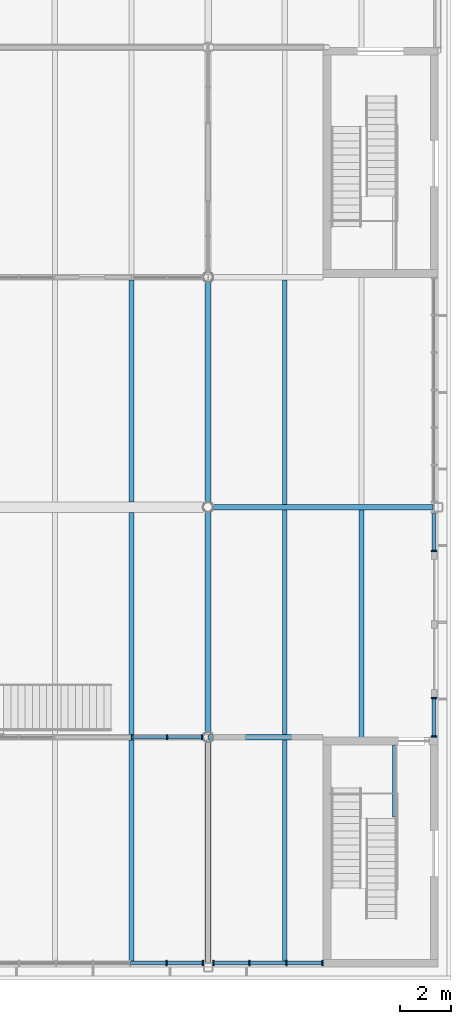
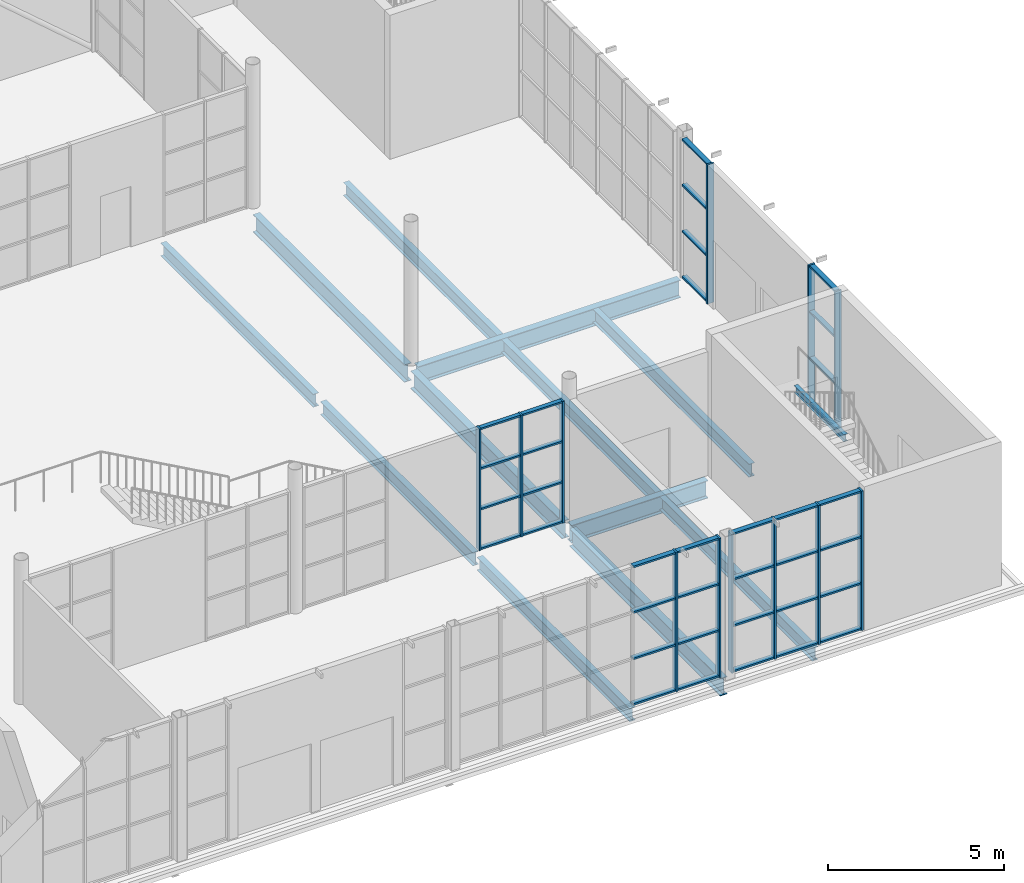
# One storey, part 24 of 63: 48 members, 13 beams, 5 elements without a shape of their own.
"""IFC4 building model written with IfcOpenShell, lengths in metres."""

from ifc_helpers import new_model, si_unit, direction, frame, origin, origin_2d, place, context, subcontext, project, spatial, rectangle, i_section, extrude, material, layer, layer_set, material_profile, profile_set, type_object, element, aggregate, save


model = new_model("IFC4")

# Units and contexts
model_context = context("Model", 3, precision=1e-05, world=origin(), true_north=direction((0.0, 1.0)))
body_context = subcontext(model_context, "Body", "Model", "MODEL_VIEW")
ifc_project = project(units=[si_unit("LENGTHUNIT", "METRE"), si_unit("AREAUNIT", "SQUARE_METRE"), si_unit("VOLUMEUNIT", "CUBIC_METRE"), si_unit("PLANEANGLEUNIT", "RADIAN"), si_unit("MASSUNIT", "GRAM", prefix="KILO")], contexts=[model_context])

# Site, building, storey
site_placement = place(None, origin())
site = spatial("IfcSite", under=ifc_project, at=site_placement, CompositionType="ELEMENT")
building_placement = place(site_placement, origin())
building = spatial("IfcBuilding", under=site, at=building_placement, Name="Halyard Row Museum", CompositionType="ELEMENT")
storey_placement = place(building_placement, origin())
storey = spatial("IfcBuildingStorey", under=building, at=storey_placement, Name="L00", CompositionType="ELEMENT", Elevation=0.0)

# Curtain wall, members
ifc_material_1 = material(Name="Double glazed unit, low-emissivity", Category="glass")
ifc_layer_1 = layer(ifc_material_1, 0.179931640625)
ifc_layer_set_1 = layer_set([ifc_layer_1], Name="Double glazed unit, low-emissivity")
curtain_wall_type_1 = type_object("IfcCurtainWallType", Name="Curtain wall stick 180 deep", PredefinedType="NOTDEFINED", material=ifc_layer_set_1)
curtain_wall_1_placement = place(storey_placement, origin())
curtain_wall_1 = element("IfcCurtainWall", 1, at=curtain_wall_1_placement, inside=storey, type_object=curtain_wall_type_1, Name="Curtain wall CW137", PredefinedType="NOTDEFINED")
ifc_material_2 = material(Name="Powder-coated aluminium section", Category="aluminium")
ifc_material_profile_1 = material_profile(ifc_material_2, rectangle(XDim=0.179931640625, YDim=0.06005859375, at=origin_2d()), Name="180x60 mullion")
ifc_profile_set_1 = profile_set([ifc_material_profile_1], Name="Powder-coated aluminium section")
member_type_1 = type_object("IfcMemberType", Name="Curtain wall mullion CM2 60 x 180", PredefinedType="MULLION", material=ifc_profile_set_1)
member_1_placement = place(storey_placement, frame((96.030029296875, 9.0, 0.0), z_axis=(0.0, 0.0, 1.0), x_axis=(0.0, 1.0, 0.0)))
member_1 = element("IfcMember", 2, at=member_1_placement, type_object=member_type_1, Name="CW137 mullion 1", PredefinedType="MULLION", context=body_context, shape_type="SweptSolid", body=[
    extrude(rectangle(XDim=0.179931640625, YDim=0.06005859375, at=origin_2d()), origin(), (0.0, 0.0, 1.0), 4.22802734375),
])
member_2_placement = place(storey_placement, frame((97.3984375, 9.0, 0.0), z_axis=(0.0, 0.0, 1.0), x_axis=(0.0, 1.0, 0.0)))
member_2 = element("IfcMember", 3, at=member_2_placement, type_object=member_type_1, Name="CW137 mullion 2", PredefinedType="MULLION", context=body_context, shape_type="SweptSolid", body=[
    extrude(rectangle(XDim=0.179931640625, YDim=0.06005859375, at=origin_2d()), origin(), (0.0, 0.0, 1.0), 4.22802734375),
])
member_3_placement = place(storey_placement, frame((98.766845703125, 9.0, 0.0), z_axis=(0.0, 0.0, 1.0), x_axis=(0.0, 1.0, 0.0)))
member_3 = element("IfcMember", 4, at=member_3_placement, type_object=member_type_1, Name="CW137 mullion 3", PredefinedType="MULLION", context=body_context, shape_type="SweptSolid", body=[
    extrude(rectangle(XDim=0.179931640625, YDim=0.06005859375, at=origin_2d()), origin(), (0.0, 0.0, 1.0), 4.22802734375),
])

ifc_material_3 = material(Name="Double glazed unit, low-emissivity", Category="glass")
ifc_layer_2 = layer(ifc_material_3, 0.219970703125)
ifc_layer_set_2 = layer_set([ifc_layer_2], Name="Double glazed unit, low-emissivity")
curtain_wall_type_2 = type_object("IfcCurtainWallType", Name="Curtain wall unitised 220 deep", PredefinedType="NOTDEFINED", material=ifc_layer_set_2)
curtain_wall_2_placement = place(storey_placement, origin())
curtain_wall_2 = element("IfcCurtainWall", 5, at=curtain_wall_2_placement, inside=storey, type_object=curtain_wall_type_2, Name="Curtain wall CW004", PredefinedType="NOTDEFINED")
ifc_material_4 = material(Name="Powder-coated aluminium section", Category="aluminium")
ifc_material_profile_2 = material_profile(ifc_material_4, rectangle(XDim=0.219970703125, YDim=0.06005859375, at=origin_2d()), Name="220x60 mullion")
ifc_profile_set_2 = profile_set([ifc_material_profile_2], Name="Powder-coated aluminium section")
member_type_2 = type_object("IfcMemberType", Name="Curtain wall mullion CM3 60 x 220", PredefinedType="MULLION", material=ifc_profile_set_2)
member_4_placement = place(storey_placement, frame((97.379150390625, 0.159912109375, 0.0), z_axis=(0.0, 0.0, 1.0), x_axis=(0.0, 1.0, 0.0)))
member_4 = element("IfcMember", 6, at=member_4_placement, type_object=member_type_2, Name="CW004 mullion 6", PredefinedType="MULLION", context=body_context, shape_type="SweptSolid", body=[
    extrude(rectangle(XDim=0.219970703125, YDim=0.06005859375, at=origin_2d()), origin(), (0.0, 0.0, 1.0), 4.8349609375),
])
member_5_placement = place(storey_placement, frame((98.794921875, 0.159912109375, 0.0), z_axis=(0.0, 0.0, 1.0), x_axis=(0.0, 1.0, 0.0)))
member_5 = element("IfcMember", 7, at=member_5_placement, type_object=member_type_2, Name="CW004 mullion 7", PredefinedType="MULLION", context=body_context, shape_type="SweptSolid", body=[
    extrude(rectangle(XDim=0.219970703125, YDim=0.06005859375, at=origin_2d()), origin(), (0.0, 0.0, 1.0), 4.8349609375),
])

curtain_wall_3_placement = place(storey_placement, origin())
curtain_wall_3 = element("IfcCurtainWall", 8, at=curtain_wall_3_placement, inside=storey, type_object=curtain_wall_type_2, Name="Curtain wall CW005", PredefinedType="NOTDEFINED")
member_6_placement = place(storey_placement, frame((99.205078125, 0.159912109375, 0.0), z_axis=(0.0, 0.0, 1.0), x_axis=(0.0, 1.0, 0.0)))
member_6 = element("IfcMember", 9, at=member_6_placement, type_object=member_type_2, Name="CW005 mullion 1", PredefinedType="MULLION", context=body_context, shape_type="SweptSolid", body=[
    extrude(rectangle(XDim=0.219970703125, YDim=0.06005859375, at=origin_2d()), origin(), (0.0, 0.0, 1.0), 4.8349609375),
])
member_7_placement = place(storey_placement, frame((100.61669921875, 0.159912109375, 0.0), z_axis=(0.0, 0.0, 1.0), x_axis=(0.0, 1.0, 0.0)))
member_7 = element("IfcMember", 10, at=member_7_placement, type_object=member_type_2, Name="CW005 mullion 2", PredefinedType="MULLION", context=body_context, shape_type="SweptSolid", body=[
    extrude(rectangle(XDim=0.219970703125, YDim=0.06005859375, at=origin_2d()), origin(), (0.0, 0.0, 1.0), 4.8349609375),
])
member_8_placement = place(storey_placement, frame((102.058349609375, 0.159912109375, 0.0), z_axis=(0.0, 0.0, 1.0), x_axis=(0.0, 1.0, 0.0)))
member_8 = element("IfcMember", 11, at=member_8_placement, type_object=member_type_2, Name="CW005 mullion 3", PredefinedType="MULLION", context=body_context, shape_type="SweptSolid", body=[
    extrude(rectangle(XDim=0.219970703125, YDim=0.06005859375, at=origin_2d()), origin(), (0.0, 0.0, 1.0), 4.8349609375),
])
member_9_placement = place(storey_placement, frame((103.469970703125, 0.159912109375, 0.0), z_axis=(0.0, 0.0, 1.0), x_axis=(0.0, 1.0, 0.0)))
member_9 = element("IfcMember", 12, at=member_9_placement, type_object=member_type_2, Name="CW005 mullion 4", PredefinedType="MULLION", context=body_context, shape_type="SweptSolid", body=[
    extrude(rectangle(XDim=0.219970703125, YDim=0.06005859375, at=origin_2d()), origin(), (0.0, 0.0, 1.0), 4.8349609375),
])

curtain_wall_4_placement = place(storey_placement, origin())
curtain_wall_4 = element("IfcCurtainWall", 13, at=curtain_wall_4_placement, inside=storey, type_object=curtain_wall_type_2, Name="Curtain wall CW006", PredefinedType="NOTDEFINED")
member_10_placement = place(storey_placement, frame((107.840087890625, 9.030029296875, 0.0), z_axis=(0.0, 0.0, 1.0), x_axis=(-1.0, 0.0, 0.0)))
member_10 = element("IfcMember", 14, at=member_10_placement, type_object=member_type_2, Name="CW006 mullion 1", PredefinedType="MULLION", context=body_context, shape_type="SweptSolid", body=[
    extrude(rectangle(XDim=0.219970703125, YDim=0.06005859375, at=origin_2d()), origin(), (0.0, 0.0, 1.0), 4.8349609375),
])
member_11_placement = place(storey_placement, frame((107.840087890625, 10.532470703125, 0.0), z_axis=(0.0, 0.0, 1.0), x_axis=(-1.0, 0.0, 0.0)))
member_11 = element("IfcMember", 15, at=member_11_placement, type_object=member_type_2, Name="CW006 mullion 2", PredefinedType="MULLION", context=body_context, shape_type="SweptSolid", body=[
    extrude(rectangle(XDim=0.219970703125, YDim=0.06005859375, at=origin_2d()), origin(), (0.0, 0.0, 1.0), 4.8349609375),
])

# Curtain wall, member
curtain_wall_5_placement = place(storey_placement, origin())
curtain_wall_5 = element("IfcCurtainWall", 16, at=curtain_wall_5_placement, inside=storey, type_object=curtain_wall_type_2, Name="Curtain wall CW007", PredefinedType="NOTDEFINED")
member_12_placement = place(storey_placement, frame((107.840087890625, 16.29248046875, 0.0), z_axis=(0.0, 0.0, 1.0), x_axis=(-1.0, 0.0, 0.0)))
member_12 = element("IfcMember", 17, at=member_12_placement, type_object=member_type_2, Name="CW007 mullion 1", PredefinedType="MULLION", context=body_context, shape_type="SweptSolid", body=[
    extrude(rectangle(XDim=0.219970703125, YDim=0.06005859375, at=origin_2d()), origin(), (0.0, 0.0, 1.0), 4.8349609375),
])

# Member
ifc_material_5 = material(Name="Powder-coated aluminium section", Category="aluminium")
ifc_material_profile_3 = material_profile(ifc_material_5, rectangle(XDim=0.139892578125, YDim=0.06005859375, at=origin_2d()), Name="140x60 transom")
ifc_profile_set_3 = profile_set([ifc_material_profile_3], Name="Powder-coated aluminium section")
member_type_3 = type_object("IfcMemberType", Name="Curtain wall transom CT2 60 x 140", PredefinedType="USERDEFINED", material=ifc_profile_set_3)
member_13_placement = place(storey_placement, frame((96.06005859375, 9.0, 0.030029296875), z_axis=(1.0, 0.0, 0.0), x_axis=(0.0, 1.0, 0.0)))
member_13 = element("IfcMember", 18, at=member_13_placement, type_object=member_type_3, Name="CW137 transom 1.1", ObjectType="TRANSOM", PredefinedType="USERDEFINED", context=body_context, shape_type="SweptSolid", body=[
    extrude(rectangle(XDim=0.139892578125, YDim=0.06005859375, at=origin_2d()), origin(), (0.0, 0.0, 1.0), 1.308349609375),
])

member_14_placement = place(storey_placement, frame((96.06005859375, 9.0, 1.409423828125), z_axis=(1.0, 0.0, 0.0), x_axis=(0.0, 1.0, 0.0)))
member_14 = element("IfcMember", 19, at=member_14_placement, type_object=member_type_3, Name="CW137 transom 1.2", ObjectType="TRANSOM", PredefinedType="USERDEFINED", context=body_context, shape_type="SweptSolid", body=[
    extrude(rectangle(XDim=0.139892578125, YDim=0.06005859375, at=origin_2d()), origin(), (0.0, 0.0, 1.0), 1.308349609375),
])

member_15_placement = place(storey_placement, frame((96.06005859375, 9.0, 2.818603515625), z_axis=(1.0, 0.0, 0.0), x_axis=(0.0, 1.0, 0.0)))
member_15 = element("IfcMember", 20, at=member_15_placement, type_object=member_type_3, Name="CW137 transom 1.3", ObjectType="TRANSOM", PredefinedType="USERDEFINED", context=body_context, shape_type="SweptSolid", body=[
    extrude(rectangle(XDim=0.139892578125, YDim=0.06005859375, at=origin_2d()), origin(), (0.0, 0.0, 1.0), 1.308349609375),
])

member_16_placement = place(storey_placement, frame((96.06005859375, 9.0, 4.197998046875), z_axis=(1.0, 0.0, 0.0), x_axis=(0.0, 1.0, 0.0)))
member_16 = element("IfcMember", 21, at=member_16_placement, type_object=member_type_3, Name="CW137 transom 1.4", ObjectType="TRANSOM", PredefinedType="USERDEFINED", context=body_context, shape_type="SweptSolid", body=[
    extrude(rectangle(XDim=0.139892578125, YDim=0.06005859375, at=origin_2d()), origin(), (0.0, 0.0, 1.0), 1.308349609375),
])

member_17_placement = place(storey_placement, frame((97.428466796875, 9.0, 0.030029296875), z_axis=(1.0, 0.0, 0.0), x_axis=(0.0, 1.0, 0.0)))
member_17 = element("IfcMember", 22, at=member_17_placement, type_object=member_type_3, Name="CW137 transom 2.1", ObjectType="TRANSOM", PredefinedType="USERDEFINED", context=body_context, shape_type="SweptSolid", body=[
    extrude(rectangle(XDim=0.139892578125, YDim=0.06005859375, at=origin_2d()), origin(), (0.0, 0.0, 1.0), 1.308349609375),
])

member_18_placement = place(storey_placement, frame((97.428466796875, 9.0, 1.409423828125), z_axis=(1.0, 0.0, 0.0), x_axis=(0.0, 1.0, 0.0)))
member_18 = element("IfcMember", 23, at=member_18_placement, type_object=member_type_3, Name="CW137 transom 2.2", ObjectType="TRANSOM", PredefinedType="USERDEFINED", context=body_context, shape_type="SweptSolid", body=[
    extrude(rectangle(XDim=0.139892578125, YDim=0.06005859375, at=origin_2d()), origin(), (0.0, 0.0, 1.0), 1.308349609375),
])

member_19_placement = place(storey_placement, frame((97.428466796875, 9.0, 2.818603515625), z_axis=(1.0, 0.0, 0.0), x_axis=(0.0, 1.0, 0.0)))
member_19 = element("IfcMember", 24, at=member_19_placement, type_object=member_type_3, Name="CW137 transom 2.3", ObjectType="TRANSOM", PredefinedType="USERDEFINED", context=body_context, shape_type="SweptSolid", body=[
    extrude(rectangle(XDim=0.139892578125, YDim=0.06005859375, at=origin_2d()), origin(), (0.0, 0.0, 1.0), 1.308349609375),
])

member_20_placement = place(storey_placement, frame((97.428466796875, 9.0, 4.197998046875), z_axis=(1.0, 0.0, 0.0), x_axis=(0.0, 1.0, 0.0)))
member_20 = element("IfcMember", 25, at=member_20_placement, type_object=member_type_3, Name="CW137 transom 2.4", ObjectType="TRANSOM", PredefinedType="USERDEFINED", context=body_context, shape_type="SweptSolid", body=[
    extrude(rectangle(XDim=0.139892578125, YDim=0.06005859375, at=origin_2d()), origin(), (0.0, 0.0, 1.0), 1.308349609375),
])

aggregate(curtain_wall_1, [member_1, member_2, member_3, member_13, member_14, member_15, member_16, member_17, member_18, member_19, member_20])

ifc_material_6 = material(Name="Powder-coated aluminium section", Category="aluminium")
ifc_material_profile_4 = material_profile(ifc_material_6, rectangle(XDim=0.159912109375, YDim=0.06005859375, at=origin_2d()), Name="160x60 transom")
ifc_profile_set_4 = profile_set([ifc_material_profile_4], Name="Powder-coated aluminium section")
member_type_4 = type_object("IfcMemberType", Name="Curtain wall transom CT3 60 x 160", PredefinedType="USERDEFINED", material=ifc_profile_set_4)
member_21_placement = place(storey_placement, frame((95.96337890625, 0.159912109375, 0.030029296875), z_axis=(1.0, 0.0, 0.0), x_axis=(0.0, 1.0, 0.0)))
member_21 = element("IfcMember", 26, at=member_21_placement, type_object=member_type_4, Name="CW004 transom 5.1", ObjectType="TRANSOM", PredefinedType="USERDEFINED", context=body_context, shape_type="SweptSolid", body=[
    extrude(rectangle(XDim=0.159912109375, YDim=0.06005859375, at=origin_2d()), origin(), (0.0, 0.0, 1.0), 1.3857421875),
])

member_22_placement = place(storey_placement, frame((95.96337890625, 0.159912109375, 1.611572265625), z_axis=(1.0, 0.0, 0.0), x_axis=(0.0, 1.0, 0.0)))
member_22 = element("IfcMember", 27, at=member_22_placement, type_object=member_type_4, Name="CW004 transom 5.2", ObjectType="TRANSOM", PredefinedType="USERDEFINED", context=body_context, shape_type="SweptSolid", body=[
    extrude(rectangle(XDim=0.159912109375, YDim=0.06005859375, at=origin_2d()), origin(), (0.0, 0.0, 1.0), 1.3857421875),
])

member_23_placement = place(storey_placement, frame((95.96337890625, 0.159912109375, 3.223388671875), z_axis=(1.0, 0.0, 0.0), x_axis=(0.0, 1.0, 0.0)))
member_23 = element("IfcMember", 28, at=member_23_placement, type_object=member_type_4, Name="CW004 transom 5.3", ObjectType="TRANSOM", PredefinedType="USERDEFINED", context=body_context, shape_type="SweptSolid", body=[
    extrude(rectangle(XDim=0.159912109375, YDim=0.06005859375, at=origin_2d()), origin(), (0.0, 0.0, 1.0), 1.3857421875),
])

member_24_placement = place(storey_placement, frame((95.96337890625, 0.159912109375, 4.804931640625), z_axis=(1.0, 0.0, 0.0), x_axis=(0.0, 1.0, 0.0)))
member_24 = element("IfcMember", 29, at=member_24_placement, type_object=member_type_4, Name="CW004 transom 5.4", ObjectType="TRANSOM", PredefinedType="USERDEFINED", context=body_context, shape_type="SweptSolid", body=[
    extrude(rectangle(XDim=0.159912109375, YDim=0.06005859375, at=origin_2d()), origin(), (0.0, 0.0, 1.0), 1.3857421875),
])

member_25_placement = place(storey_placement, frame((97.4091796875, 0.159912109375, 0.030029296875), z_axis=(1.0, 0.0, 0.0), x_axis=(0.0, 1.0, 0.0)))
member_25 = element("IfcMember", 30, at=member_25_placement, type_object=member_type_4, Name="CW004 transom 6.1", ObjectType="TRANSOM", PredefinedType="USERDEFINED", context=body_context, shape_type="SweptSolid", body=[
    extrude(rectangle(XDim=0.159912109375, YDim=0.06005859375, at=origin_2d()), origin(), (0.0, 0.0, 1.0), 1.355712890625),
])

member_26_placement = place(storey_placement, frame((97.4091796875, 0.159912109375, 1.611572265625), z_axis=(1.0, 0.0, 0.0), x_axis=(0.0, 1.0, 0.0)))
member_26 = element("IfcMember", 31, at=member_26_placement, type_object=member_type_4, Name="CW004 transom 6.2", ObjectType="TRANSOM", PredefinedType="USERDEFINED", context=body_context, shape_type="SweptSolid", body=[
    extrude(rectangle(XDim=0.159912109375, YDim=0.06005859375, at=origin_2d()), origin(), (0.0, 0.0, 1.0), 1.355712890625),
])

member_27_placement = place(storey_placement, frame((97.4091796875, 0.159912109375, 3.223388671875), z_axis=(1.0, 0.0, 0.0), x_axis=(0.0, 1.0, 0.0)))
member_27 = element("IfcMember", 32, at=member_27_placement, type_object=member_type_4, Name="CW004 transom 6.3", ObjectType="TRANSOM", PredefinedType="USERDEFINED", context=body_context, shape_type="SweptSolid", body=[
    extrude(rectangle(XDim=0.159912109375, YDim=0.06005859375, at=origin_2d()), origin(), (0.0, 0.0, 1.0), 1.355712890625),
])

member_28_placement = place(storey_placement, frame((97.4091796875, 0.159912109375, 4.804931640625), z_axis=(1.0, 0.0, 0.0), x_axis=(0.0, 1.0, 0.0)))
member_28 = element("IfcMember", 33, at=member_28_placement, type_object=member_type_4, Name="CW004 transom 6.4", ObjectType="TRANSOM", PredefinedType="USERDEFINED", context=body_context, shape_type="SweptSolid", body=[
    extrude(rectangle(XDim=0.159912109375, YDim=0.06005859375, at=origin_2d()), origin(), (0.0, 0.0, 1.0), 1.355712890625),
])

aggregate(curtain_wall_2, [member_4, member_5, member_21, member_22, member_23, member_24, member_25, member_26, member_27, member_28])

member_29_placement = place(storey_placement, frame((99.235107421875, 0.159912109375, 0.030029296875), z_axis=(1.0, 0.0, 0.0), x_axis=(0.0, 1.0, 0.0)))
member_29 = element("IfcMember", 34, at=member_29_placement, type_object=member_type_4, Name="CW005 transom 1.1", ObjectType="TRANSOM", PredefinedType="USERDEFINED", context=body_context, shape_type="SweptSolid", body=[
    extrude(rectangle(XDim=0.159912109375, YDim=0.06005859375, at=origin_2d()), origin(), (0.0, 0.0, 1.0), 1.3515625),
])

member_30_placement = place(storey_placement, frame((99.235107421875, 0.159912109375, 1.611572265625), z_axis=(1.0, 0.0, 0.0), x_axis=(0.0, 1.0, 0.0)))
member_30 = element("IfcMember", 35, at=member_30_placement, type_object=member_type_4, Name="CW005 transom 1.2", ObjectType="TRANSOM", PredefinedType="USERDEFINED", context=body_context, shape_type="SweptSolid", body=[
    extrude(rectangle(XDim=0.159912109375, YDim=0.06005859375, at=origin_2d()), origin(), (0.0, 0.0, 1.0), 1.3515625),
])

member_31_placement = place(storey_placement, frame((99.235107421875, 0.159912109375, 3.223388671875), z_axis=(1.0, 0.0, 0.0), x_axis=(0.0, 1.0, 0.0)))
member_31 = element("IfcMember", 36, at=member_31_placement, type_object=member_type_4, Name="CW005 transom 1.3", ObjectType="TRANSOM", PredefinedType="USERDEFINED", context=body_context, shape_type="SweptSolid", body=[
    extrude(rectangle(XDim=0.159912109375, YDim=0.06005859375, at=origin_2d()), origin(), (0.0, 0.0, 1.0), 1.3515625),
])

member_32_placement = place(storey_placement, frame((99.235107421875, 0.159912109375, 4.804931640625), z_axis=(1.0, 0.0, 0.0), x_axis=(0.0, 1.0, 0.0)))
member_32 = element("IfcMember", 37, at=member_32_placement, type_object=member_type_4, Name="CW005 transom 1.4", ObjectType="TRANSOM", PredefinedType="USERDEFINED", context=body_context, shape_type="SweptSolid", body=[
    extrude(rectangle(XDim=0.159912109375, YDim=0.06005859375, at=origin_2d()), origin(), (0.0, 0.0, 1.0), 1.3515625),
])

member_33_placement = place(storey_placement, frame((100.646728515625, 0.159912109375, 0.030029296875), z_axis=(1.0, 0.0, 0.0), x_axis=(0.0, 1.0, 0.0)))
member_33 = element("IfcMember", 38, at=member_33_placement, type_object=member_type_4, Name="CW005 transom 2.1", ObjectType="TRANSOM", PredefinedType="USERDEFINED", context=body_context, shape_type="SweptSolid", body=[
    extrude(rectangle(XDim=0.159912109375, YDim=0.06005859375, at=origin_2d()), origin(), (0.0, 0.0, 1.0), 1.381591796875),
])

member_34_placement = place(storey_placement, frame((100.646728515625, 0.159912109375, 1.611572265625), z_axis=(1.0, 0.0, 0.0), x_axis=(0.0, 1.0, 0.0)))
member_34 = element("IfcMember", 39, at=member_34_placement, type_object=member_type_4, Name="CW005 transom 2.2", ObjectType="TRANSOM", PredefinedType="USERDEFINED", context=body_context, shape_type="SweptSolid", body=[
    extrude(rectangle(XDim=0.159912109375, YDim=0.06005859375, at=origin_2d()), origin(), (0.0, 0.0, 1.0), 1.381591796875),
])

member_35_placement = place(storey_placement, frame((100.646728515625, 0.159912109375, 3.223388671875), z_axis=(1.0, 0.0, 0.0), x_axis=(0.0, 1.0, 0.0)))
member_35 = element("IfcMember", 40, at=member_35_placement, type_object=member_type_4, Name="CW005 transom 2.3", ObjectType="TRANSOM", PredefinedType="USERDEFINED", context=body_context, shape_type="SweptSolid", body=[
    extrude(rectangle(XDim=0.159912109375, YDim=0.06005859375, at=origin_2d()), origin(), (0.0, 0.0, 1.0), 1.381591796875),
])

member_36_placement = place(storey_placement, frame((100.646728515625, 0.159912109375, 4.804931640625), z_axis=(1.0, 0.0, 0.0), x_axis=(0.0, 1.0, 0.0)))
member_36 = element("IfcMember", 41, at=member_36_placement, type_object=member_type_4, Name="CW005 transom 2.4", ObjectType="TRANSOM", PredefinedType="USERDEFINED", context=body_context, shape_type="SweptSolid", body=[
    extrude(rectangle(XDim=0.159912109375, YDim=0.06005859375, at=origin_2d()), origin(), (0.0, 0.0, 1.0), 1.381591796875),
])

member_37_placement = place(storey_placement, frame((102.08837890625, 0.159912109375, 0.030029296875), z_axis=(1.0, 0.0, 0.0), x_axis=(0.0, 1.0, 0.0)))
member_37 = element("IfcMember", 42, at=member_37_placement, type_object=member_type_4, Name="CW005 transom 3.1", ObjectType="TRANSOM", PredefinedType="USERDEFINED", context=body_context, shape_type="SweptSolid", body=[
    extrude(rectangle(XDim=0.159912109375, YDim=0.06005859375, at=origin_2d()), origin(), (0.0, 0.0, 1.0), 1.3515625),
])

member_38_placement = place(storey_placement, frame((102.08837890625, 0.159912109375, 1.611572265625), z_axis=(1.0, 0.0, 0.0), x_axis=(0.0, 1.0, 0.0)))
member_38 = element("IfcMember", 43, at=member_38_placement, type_object=member_type_4, Name="CW005 transom 3.2", ObjectType="TRANSOM", PredefinedType="USERDEFINED", context=body_context, shape_type="SweptSolid", body=[
    extrude(rectangle(XDim=0.159912109375, YDim=0.06005859375, at=origin_2d()), origin(), (0.0, 0.0, 1.0), 1.3515625),
])

member_39_placement = place(storey_placement, frame((102.08837890625, 0.159912109375, 3.223388671875), z_axis=(1.0, 0.0, 0.0), x_axis=(0.0, 1.0, 0.0)))
member_39 = element("IfcMember", 44, at=member_39_placement, type_object=member_type_4, Name="CW005 transom 3.3", ObjectType="TRANSOM", PredefinedType="USERDEFINED", context=body_context, shape_type="SweptSolid", body=[
    extrude(rectangle(XDim=0.159912109375, YDim=0.06005859375, at=origin_2d()), origin(), (0.0, 0.0, 1.0), 1.3515625),
])

member_40_placement = place(storey_placement, frame((102.08837890625, 0.159912109375, 4.804931640625), z_axis=(1.0, 0.0, 0.0), x_axis=(0.0, 1.0, 0.0)))
member_40 = element("IfcMember", 45, at=member_40_placement, type_object=member_type_4, Name="CW005 transom 3.4", ObjectType="TRANSOM", PredefinedType="USERDEFINED", context=body_context, shape_type="SweptSolid", body=[
    extrude(rectangle(XDim=0.159912109375, YDim=0.06005859375, at=origin_2d()), origin(), (0.0, 0.0, 1.0), 1.3515625),
])

aggregate(curtain_wall_3, [member_6, member_7, member_8, member_9, member_29, member_30, member_31, member_32, member_33, member_34, member_35, member_36, member_37, member_38, member_39, member_40])

member_41_placement = place(storey_placement, frame((107.840087890625, 9.06005859375, 0.030029296875), z_axis=(0.0, 1.0, 0.0), x_axis=(-1.0, 0.0, 0.0)))
member_41 = element("IfcMember", 46, at=member_41_placement, type_object=member_type_4, Name="CW006 transom 1.1", ObjectType="TRANSOM", PredefinedType="USERDEFINED", context=body_context, shape_type="SweptSolid", body=[
    extrude(rectangle(XDim=0.159912109375, YDim=0.06005859375, at=origin_2d()), origin(), (0.0, 0.0, 1.0), 1.4423828125),
])

member_42_placement = place(storey_placement, frame((107.840087890625, 9.06005859375, 1.611572265625), z_axis=(0.0, 1.0, 0.0), x_axis=(-1.0, 0.0, 0.0)))
member_42 = element("IfcMember", 47, at=member_42_placement, type_object=member_type_4, Name="CW006 transom 1.2", ObjectType="TRANSOM", PredefinedType="USERDEFINED", context=body_context, shape_type="SweptSolid", body=[
    extrude(rectangle(XDim=0.159912109375, YDim=0.06005859375, at=origin_2d()), origin(), (0.0, 0.0, 1.0), 1.4423828125),
])

member_43_placement = place(storey_placement, frame((107.840087890625, 9.06005859375, 3.223388671875), z_axis=(0.0, 1.0, 0.0), x_axis=(-1.0, 0.0, 0.0)))
member_43 = element("IfcMember", 48, at=member_43_placement, type_object=member_type_4, Name="CW006 transom 1.3", ObjectType="TRANSOM", PredefinedType="USERDEFINED", context=body_context, shape_type="SweptSolid", body=[
    extrude(rectangle(XDim=0.159912109375, YDim=0.06005859375, at=origin_2d()), origin(), (0.0, 0.0, 1.0), 1.4423828125),
])

member_44_placement = place(storey_placement, frame((107.840087890625, 9.06005859375, 4.804931640625), z_axis=(0.0, 1.0, 0.0), x_axis=(-1.0, 0.0, 0.0)))
member_44 = element("IfcMember", 49, at=member_44_placement, type_object=member_type_4, Name="CW006 transom 1.4", ObjectType="TRANSOM", PredefinedType="USERDEFINED", context=body_context, shape_type="SweptSolid", body=[
    extrude(rectangle(XDim=0.159912109375, YDim=0.06005859375, at=origin_2d()), origin(), (0.0, 0.0, 1.0), 1.4423828125),
])

aggregate(curtain_wall_4, [member_10, member_11, member_41, member_42, member_43, member_44])

member_45_placement = place(storey_placement, frame((107.840087890625, 16.322509765625, 0.030029296875), z_axis=(0.0, 1.0, 0.0), x_axis=(-1.0, 0.0, 0.0)))
member_45 = element("IfcMember", 50, at=member_45_placement, type_object=member_type_4, Name="CW007 transom 1.1", ObjectType="TRANSOM", PredefinedType="USERDEFINED", context=body_context, shape_type="SweptSolid", body=[
    extrude(rectangle(XDim=0.159912109375, YDim=0.06005859375, at=origin_2d()), origin(), (0.0, 0.0, 1.0), 1.4423828125),
])

member_46_placement = place(storey_placement, frame((107.840087890625, 16.322509765625, 1.611572265625), z_axis=(0.0, 1.0, 0.0), x_axis=(-1.0, 0.0, 0.0)))
member_46 = element("IfcMember", 51, at=member_46_placement, type_object=member_type_4, Name="CW007 transom 1.2", ObjectType="TRANSOM", PredefinedType="USERDEFINED", context=body_context, shape_type="SweptSolid", body=[
    extrude(rectangle(XDim=0.159912109375, YDim=0.06005859375, at=origin_2d()), origin(), (0.0, 0.0, 1.0), 1.4423828125),
])

member_47_placement = place(storey_placement, frame((107.840087890625, 16.322509765625, 3.223388671875), z_axis=(0.0, 1.0, 0.0), x_axis=(-1.0, 0.0, 0.0)))
member_47 = element("IfcMember", 52, at=member_47_placement, type_object=member_type_4, Name="CW007 transom 1.3", ObjectType="TRANSOM", PredefinedType="USERDEFINED", context=body_context, shape_type="SweptSolid", body=[
    extrude(rectangle(XDim=0.159912109375, YDim=0.06005859375, at=origin_2d()), origin(), (0.0, 0.0, 1.0), 1.4423828125),
])

member_48_placement = place(storey_placement, frame((107.840087890625, 16.322509765625, 4.804931640625), z_axis=(0.0, 1.0, 0.0), x_axis=(-1.0, 0.0, 0.0)))
member_48 = element("IfcMember", 53, at=member_48_placement, type_object=member_type_4, Name="CW007 transom 1.4", ObjectType="TRANSOM", PredefinedType="USERDEFINED", context=body_context, shape_type="SweptSolid", body=[
    extrude(rectangle(XDim=0.159912109375, YDim=0.06005859375, at=origin_2d()), origin(), (0.0, 0.0, 1.0), 1.4423828125),
])

aggregate(curtain_wall_5, [member_12, member_45, member_46, member_47, member_48])

# Beams
ifc_material_7 = material(Name="Steel Grade 300", Category="steel")
ifc_material_profile_5 = material_profile(ifc_material_7, i_section(OverallWidth=0.22900390625, OverallDepth=0.611572265625, WebThickness=0.011962890625, FlangeThickness=0.01953125, FilletRadius=0.013916015625, at=origin_2d()), Name="610UB125")
ifc_profile_set_5 = profile_set([ifc_material_profile_5], Name="Steel Grade 300")
beam_type_1 = type_object("IfcBeamType", Name="Girder beam 610UB125", PredefinedType="BEAM", material=ifc_profile_set_5)
beam_1_placement = place(storey_placement, frame((99.012451171875, 9.0, -0.470703125), z_axis=(1.0, 0.0, 0.0), x_axis=(0.0, 1.0, 0.0)))
element("IfcBeam", 54, at=beam_1_placement, inside=storey, type_object=beam_type_1, Name="Beam L00-007", PredefinedType="BEAM", context=body_context, shape_type="SweptSolid", body=[
    extrude(i_section(OverallWidth=0.22900390625, OverallDepth=0.611572265625, WebThickness=0.011962890625, FlangeThickness=0.01953125, FilletRadius=0.013916015625, at=origin_2d()), origin(), (0.0, 0.0, 1.0), 4.487548828125),
])
beam_2_placement = place(storey_placement, frame((99.175048828125, 18.0, -0.470703125), z_axis=(1.0, 0.0, 0.0), x_axis=(0.0, 1.0, 0.0)))
element("IfcBeam", 55, at=beam_2_placement, inside=storey, type_object=beam_type_1, Name="Beam L00-013", PredefinedType="BEAM", context=body_context, shape_type="SweptSolid", body=[
    extrude(i_section(OverallWidth=0.22900390625, OverallDepth=0.611572265625, WebThickness=0.011962890625, FlangeThickness=0.01953125, FilletRadius=0.013916015625, at=origin_2d()), origin(), (0.0, 0.0, 1.0), 8.625),
])
beam_3_placement = place(storey_placement, frame((99.0, 0.199951171875, -0.470703125), z_axis=(0.0, 1.0, 0.0), x_axis=(-1.0, 0.0, 0.0)))
element("IfcBeam", 56, at=beam_3_placement, inside=storey, type_object=beam_type_1, Name="Beam L00-073", PredefinedType="BEAM", context=body_context, shape_type="SweptSolid", body=[
    extrude(i_section(OverallWidth=0.22900390625, OverallDepth=0.611572265625, WebThickness=0.011962890625, FlangeThickness=0.01953125, FilletRadius=0.013916015625, at=origin_2d()), origin(), (0.0, 0.0, 1.0), 8.593017578125),
])
for number, where, z_axis, x_axis, name in (
    (57, (99.0, 9.20703125, -0.470703125), (0.0, 1.0, 0.0), (-1.0, 0.0, 0.0), "Beam L00-074"),
    (58, (99.0, 18.16943359375, -0.470703125), (0.0, 1.0, 0.0), (-1.0, 0.0, 0.0), "Beam L00-075"),
):
    element("IfcBeam", number, at=place(storey_placement, frame(where, z_axis=z_axis, x_axis=x_axis)), inside=storey, type_object=beam_type_1, Name=name, PredefinedType="BEAM", context=body_context, shape_type="SweptSolid", body=[
        extrude(i_section(OverallWidth=0.22900390625, OverallDepth=0.611572265625, WebThickness=0.011962890625, FlangeThickness=0.01953125, FilletRadius=0.013916015625, at=origin_2d()), origin(), (0.0, 0.0, 1.0), 8.62353515625),
    ])
ifc_material_8 = material(Name="Steel Grade 300", Category="steel")
ifc_material_profile_6 = material_profile(ifc_material_8, i_section(OverallWidth=0.1240234375, OverallDepth=0.248046875, WebThickness=0.0048828125, FlangeThickness=0.008056640625, FilletRadius=0.011962890625, at=origin_2d()), Name="250UB25.7")
ifc_profile_set_6 = profile_set([ifc_material_profile_6], Name="Steel Grade 300")
beam_type_2 = type_object("IfcBeamType", Name="Landing trimmer 250UB25.7", PredefinedType="BEAM", material=ifc_profile_set_6)
beam_4_placement = place(storey_placement, frame((106.278076171875, 8.702880859375, 2.176025390625), z_axis=(0.0, -1.0, 0.0), x_axis=(1.0, 0.0, 0.0)))
element("IfcBeam", 59, at=beam_4_placement, inside=storey, type_object=beam_type_2, Name="Landing ledger K2B L00 1", PredefinedType="BEAM", context=body_context, shape_type="SweptSolid", body=[
    extrude(i_section(OverallWidth=0.1240234375, OverallDepth=0.248046875, WebThickness=0.0048828125, FlangeThickness=0.008056640625, FilletRadius=0.011962890625, at=origin_2d()), origin(), (0.0, 0.0, 1.0), 2.832763671875),
])
ifc_material_9 = material(Name="Steel Grade 300", Category="steel")
ifc_material_profile_7 = material_profile(ifc_material_9, i_section(OverallWidth=0.18994140625, OverallDepth=0.453857421875, WebThickness=0.008544921875, FlangeThickness=0.0126953125, FilletRadius=0.011474609375, at=origin_2d()), Name="460UB67.1")
ifc_profile_set_7 = profile_set([ifc_material_profile_7], Name="Steel Grade 300")
beam_type_3 = type_object("IfcBeamType", Name="Secondary beam 460UB67.1", PredefinedType="BEAM", material=ifc_profile_set_7)
for number, where, z_axis, x_axis, name in (
    (60, (96.0, 0.199951171875, -0.391845703125), (0.0, 1.0, 0.0), (-1.0, 0.0, 0.0), "Beam L00-087"),
    (61, (102.0, 0.199951171875, -0.391845703125), (0.0, 1.0, 0.0), (-1.0, 0.0, 0.0), "Beam L00-088"),
):
    element("IfcBeam", number, at=place(storey_placement, frame(where, z_axis=z_axis, x_axis=x_axis)), inside=storey, type_object=beam_type_3, Name=name, PredefinedType="BEAM", context=body_context, shape_type="SweptSolid", body=[
        extrude(i_section(OverallWidth=0.18994140625, OverallDepth=0.453857421875, WebThickness=0.008544921875, FlangeThickness=0.0126953125, FilletRadius=0.011474609375, at=origin_2d()), origin(), (0.0, 0.0, 1.0), 8.685546875),
    ])
beam_5_placement = place(storey_placement, frame((105.0, 9.0, -0.391845703125), z_axis=(0.0, 1.0, 0.0), x_axis=(-1.0, 0.0, 0.0)))
element("IfcBeam", 62, at=beam_5_placement, inside=storey, type_object=beam_type_3, Name="Beam L00-091", PredefinedType="BEAM", context=body_context, shape_type="SweptSolid", body=[
    extrude(i_section(OverallWidth=0.18994140625, OverallDepth=0.453857421875, WebThickness=0.008544921875, FlangeThickness=0.0126953125, FilletRadius=0.011474609375, at=origin_2d()), origin(), (0.0, 0.0, 1.0), 8.885498046875),
])
beam_6_placement = place(storey_placement, frame((96.0, 9.114501953125, -0.391845703125), z_axis=(0.0, 1.0, 0.0), x_axis=(-1.0, 0.0, 0.0)))
element("IfcBeam", 63, at=beam_6_placement, inside=storey, type_object=beam_type_3, Name="Beam L00-100", PredefinedType="BEAM", context=body_context, shape_type="SweptSolid", body=[
    extrude(i_section(OverallWidth=0.18994140625, OverallDepth=0.453857421875, WebThickness=0.008544921875, FlangeThickness=0.0126953125, FilletRadius=0.011474609375, at=origin_2d()), origin(), (0.0, 0.0, 1.0), 8.685546875),
])
for number, where, z_axis, x_axis, name in (
    (64, (102.0, 9.114501953125, -0.391845703125), (0.0, 1.0, 0.0), (-1.0, 0.0, 0.0), "Beam L00-101"),
    (65, (102.0, 18.114501953125, -0.391845703125), (0.0, 1.0, 0.0), (-1.0, 0.0, 0.0), "Beam L00-107"),
):
    element("IfcBeam", number, at=place(storey_placement, frame(where, z_axis=z_axis, x_axis=x_axis)), inside=storey, type_object=beam_type_3, Name=name, PredefinedType="BEAM", context=body_context, shape_type="SweptSolid", body=[
        extrude(i_section(OverallWidth=0.18994140625, OverallDepth=0.453857421875, WebThickness=0.008544921875, FlangeThickness=0.0126953125, FilletRadius=0.011474609375, at=origin_2d()), origin(), (0.0, 0.0, 1.0), 8.77099609375),
    ])
beam_7_placement = place(storey_placement, frame((96.0, 18.199951171875, -0.391845703125), z_axis=(0.0, 1.0, 0.0), x_axis=(-1.0, 0.0, 0.0)))
element("IfcBeam", 66, at=beam_7_placement, inside=storey, type_object=beam_type_3, Name="Beam L00-118", PredefinedType="BEAM", context=body_context, shape_type="SweptSolid", body=[
    extrude(i_section(OverallWidth=0.18994140625, OverallDepth=0.453857421875, WebThickness=0.008544921875, FlangeThickness=0.0126953125, FilletRadius=0.011474609375, at=origin_2d()), origin(), (0.0, 0.0, 1.0), 8.685546875),
])

save(model, "model.ifc")
